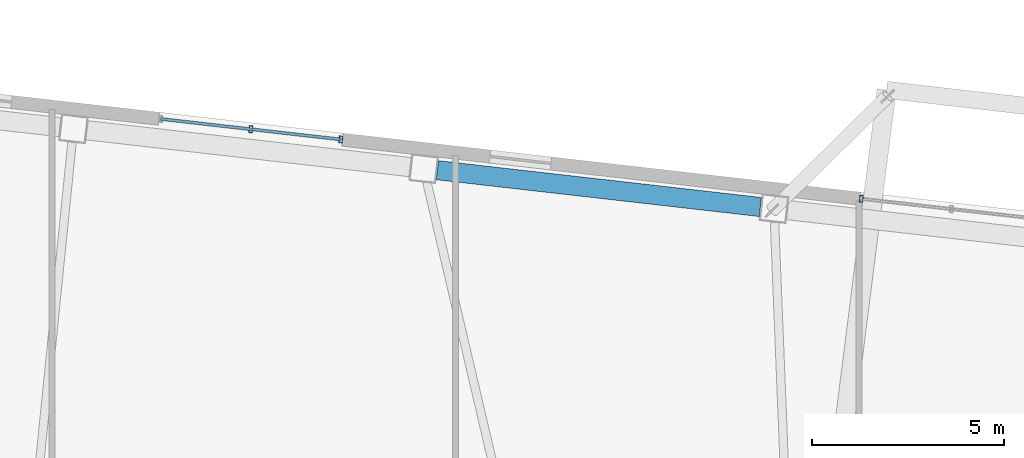
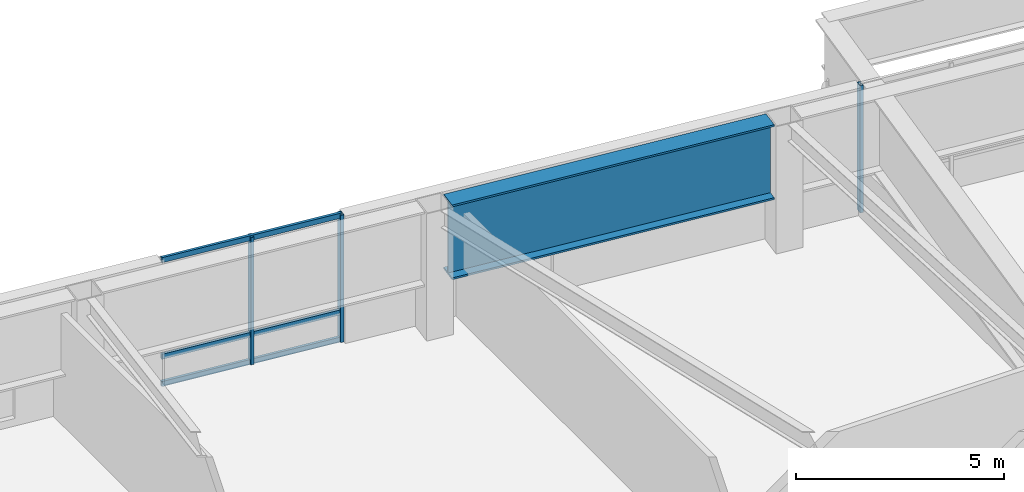
# One storey, part 8 of 21: 6 members, 1 beam, 2 elements without a shape of their own.
"""IFC4 building model written with IfcOpenShell, lengths in metres."""

from ifc_helpers import new_model, si_unit, direction, frame, origin, origin_2d, place, context, subcontext, project, spatial, hollow_rectangle, i_section, extrude, material, layer, layer_set, material_profile, profile_set, type_object, element, aggregate, save


model = new_model("IFC4")

# Units and contexts
model_context = context("Model", 3, precision=1e-05, world=origin(), true_north=direction((0.0, 1.0)))
body_context = subcontext(model_context, "Body", "Model", "MODEL_VIEW")
ifc_project = project(units=[si_unit("LENGTHUNIT", "METRE"), si_unit("AREAUNIT", "SQUARE_METRE"), si_unit("VOLUMEUNIT", "CUBIC_METRE"), si_unit("PLANEANGLEUNIT", "RADIAN"), si_unit("MASSUNIT", "GRAM", prefix="KILO")], contexts=[model_context])

# Site, building, storey
site_placement = place(None, origin())
site = spatial("IfcSite", under=ifc_project, at=site_placement, CompositionType="ELEMENT")
building_placement = place(site_placement, origin())
building = spatial("IfcBuilding", under=site, at=building_placement, Name="Tavrogorsk Clinical Tower", CompositionType="ELEMENT")
storey_placement = place(building_placement, frame((0.0, 0.0, 109.39990234375)))
storey = spatial("IfcBuildingStorey", under=building, at=storey_placement, Name="L24", CompositionType="ELEMENT", Elevation=109.39990234375)

# Curtain wall, members
ifc_material_1 = material(Name="Anodised aluminium and triple IGU glazing", Category="aluminium")
ifc_layer = layer(ifc_material_1, 0.179931640625)
ifc_layer_set = layer_set([ifc_layer], Name="Anodised aluminium and triple IGU glazing")
curtain_wall_type = type_object("IfcCurtainWallType", Name="CW2_NorthSlot", PredefinedType="NOTDEFINED", material=ifc_layer_set)
curtain_wall_1_placement = place(storey_placement, origin())
curtain_wall_1 = element("IfcCurtainWall", 1, at=curtain_wall_1_placement, inside=storey, type_object=curtain_wall_type, Name="L24 Curtain Wall CW-L24-N-SLOT-1", PredefinedType="NOTDEFINED")
ifc_material_2 = material(Name="Anodised aluminium alloy AW-6060", Category="aluminium")
ifc_material_profile_1 = material_profile(ifc_material_2, hollow_rectangle(XDim=0.090087890625, YDim=0.179931640625, WallThickness=0.00634765625, at=origin_2d()), Name="RHS-180x90x6.3")
ifc_profile_set_1 = profile_set([ifc_material_profile_1], Name="Anodised aluminium alloy AW-6060")
member_type_1 = type_object("IfcMemberType", Name="CwMullion_180x90", PredefinedType="MULLION", material=ifc_profile_set_1)
member_1_placement = place(storey_placement, frame((-1.586181640625, 23.443603515625, 0.0), z_axis=(0.0, 0.0, 1.0), x_axis=(-0.993571858269, 0.113203191016, 0.0)))
member_1 = element("IfcMember", 2, at=member_1_placement, type_object=member_type_1, Name="CW-L24-N-SLOT-1 Mullion 1", PredefinedType="MULLION", context=body_context, shape_type="SweptSolid", body=[
    extrude(hollow_rectangle(XDim=0.090087890625, YDim=0.179931640625, WallThickness=0.00634765625, at=origin_2d()), origin(), (0.0, 0.0, 1.0), 3.739990234375),
])
member_2_placement = place(storey_placement, frame((-3.929931640625, 23.71044921875, 0.0), z_axis=(0.0, 0.0, 1.0), x_axis=(-0.993571858269, 0.113203191016, 0.0)))
member_2 = element("IfcMember", 3, at=member_2_placement, type_object=member_type_1, Name="CW-L24-N-SLOT-1 Mullion 2", PredefinedType="MULLION", context=body_context, shape_type="SweptSolid", body=[
    extrude(hollow_rectangle(XDim=0.090087890625, YDim=0.179931640625, WallThickness=0.00634765625, at=origin_2d()), origin(), (0.0, 0.0, 1.0), 3.739990234375),
])

# Curtain wall, member
curtain_wall_2_placement = place(storey_placement, origin())
curtain_wall_2 = element("IfcCurtainWall", 4, at=curtain_wall_2_placement, inside=storey, type_object=curtain_wall_type, Name="L24 Curtain Wall CW-L24-N-SLOT-2", PredefinedType="NOTDEFINED")
member_3_placement = place(storey_placement, frame((11.962646484375, 21.89990234375, 0.0), z_axis=(0.0, 0.0, 1.0), x_axis=(-0.993571855603, 0.11320321441, 0.0)))
member_3 = element("IfcMember", 5, at=member_3_placement, type_object=member_type_1, Name="CW-L24-N-SLOT-2 Mullion 3", PredefinedType="MULLION", context=body_context, shape_type="SweptSolid", body=[
    extrude(hollow_rectangle(XDim=0.090087890625, YDim=0.179931640625, WallThickness=0.00634765625, at=origin_2d()), origin(), (0.0, 0.0, 1.0), 3.739990234375),
])
aggregate(curtain_wall_2, [member_3])

# Member
ifc_material_3 = material(Name="Anodised aluminium alloy AW-6060", Category="aluminium")
ifc_material_profile_2 = material_profile(ifc_material_3, hollow_rectangle(XDim=0.074951171875, YDim=0.14990234375, WallThickness=0.0048828125, at=origin_2d()), Name="RHS-150x75x5")
ifc_profile_set_2 = profile_set([ifc_material_profile_2], Name="Anodised aluminium alloy AW-6060")
member_type_2 = type_object("IfcMemberType", Name="CwTransom_150x75", PredefinedType="USERDEFINED", material=ifc_profile_set_2)
member_4_placement = place(storey_placement, frame((-1.586181640625, 23.443603515625, 0.050048828125), z_axis=(-0.993575136134, 0.11317441785, 0.0), x_axis=(-0.11317441785, -0.993575136134, 0.0)))
member_4 = element("IfcMember", 6, at=member_4_placement, type_object=member_type_2, Name="CW-L24-N-SLOT-1 Transom 1", ObjectType="TRANSOM", PredefinedType="USERDEFINED", context=body_context, shape_type="SweptSolid", body=[
    extrude(hollow_rectangle(XDim=0.074951171875, YDim=0.14990234375, WallThickness=0.0048828125, at=origin_2d()), origin(), (0.0, 0.0, 1.0), 4.7177734375),
])

member_5_placement = place(storey_placement, frame((-1.586181640625, 23.443603515625, 0.85009765625), z_axis=(-0.993575136134, 0.11317441785, 0.0), x_axis=(-0.11317441785, -0.993575136134, 0.0)))
member_5 = element("IfcMember", 7, at=member_5_placement, type_object=member_type_2, Name="CW-L24-N-SLOT-1 Transom 2", ObjectType="TRANSOM", PredefinedType="USERDEFINED", context=body_context, shape_type="SweptSolid", body=[
    extrude(hollow_rectangle(XDim=0.074951171875, YDim=0.14990234375, WallThickness=0.0048828125, at=origin_2d()), origin(), (0.0, 0.0, 1.0), 4.7177734375),
])

member_6_placement = place(storey_placement, frame((-1.586181640625, 23.443603515625, 3.690185546875), z_axis=(-0.993575136134, 0.11317441785, 0.0), x_axis=(-0.11317441785, -0.993575136134, 0.0)))
member_6 = element("IfcMember", 8, at=member_6_placement, type_object=member_type_2, Name="CW-L24-N-SLOT-1 Transom 3", ObjectType="TRANSOM", PredefinedType="USERDEFINED", context=body_context, shape_type="SweptSolid", body=[
    extrude(hollow_rectangle(XDim=0.074951171875, YDim=0.14990234375, WallThickness=0.0048828125, at=origin_2d()), origin(), (0.0, 0.0, 1.0), 4.7177734375),
])

aggregate(curtain_wall_1, [member_1, member_2, member_4, member_5, member_6])

# Beam
ifc_material_4 = material(Name="Structural steel S440", Category="steel")
ifc_material_profile_3 = material_profile(ifc_material_4, i_section(OverallWidth=0.5, OverallDepth=2.199951171875, WebThickness=0.035888671875, FlangeThickness=0.054931640625, at=origin_2d()), Name="DK-2200x500x36x55")
ifc_profile_set_3 = profile_set([ifc_material_profile_3], Name="Structural steel S440")
beam_type = type_object("IfcBeamType", Name="TransferGirder_DK2200", PredefinedType="USERDEFINED", material=ifc_profile_set_3)
beam_placement = place(storey_placement, frame((9.333984375, 21.68603515625, 2.64013671875), z_axis=(-0.99357306506, 0.113192598642, 0.0), x_axis=(-0.113192598642, -0.99357306506, 0.0)))
element("IfcBeam", 9, at=beam_placement, inside=storey, type_object=beam_type, Name="L24 Perimeter Spandrel N4-N5", ObjectType="GIRDER", PredefinedType="USERDEFINED", context=body_context, shape_type="SweptSolid", body=[
    extrude(i_section(OverallWidth=0.5, OverallDepth=2.199951171875, WebThickness=0.035888671875, FlangeThickness=0.054931640625, at=origin_2d()), origin(), (0.0, 0.0, 1.0), 8.46142578125),
])

save(model, "model.ifc")
